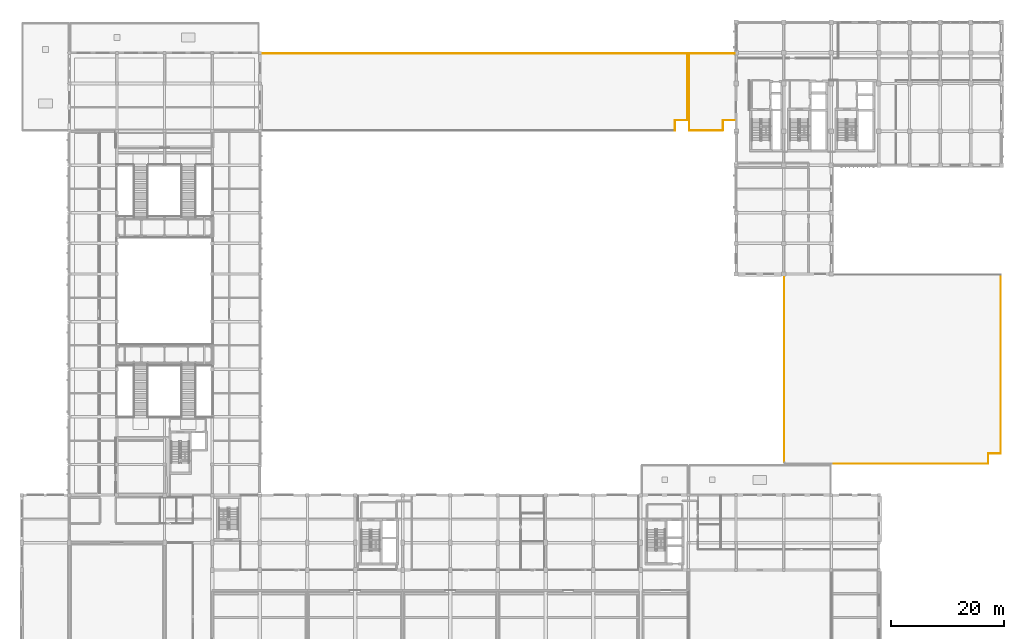
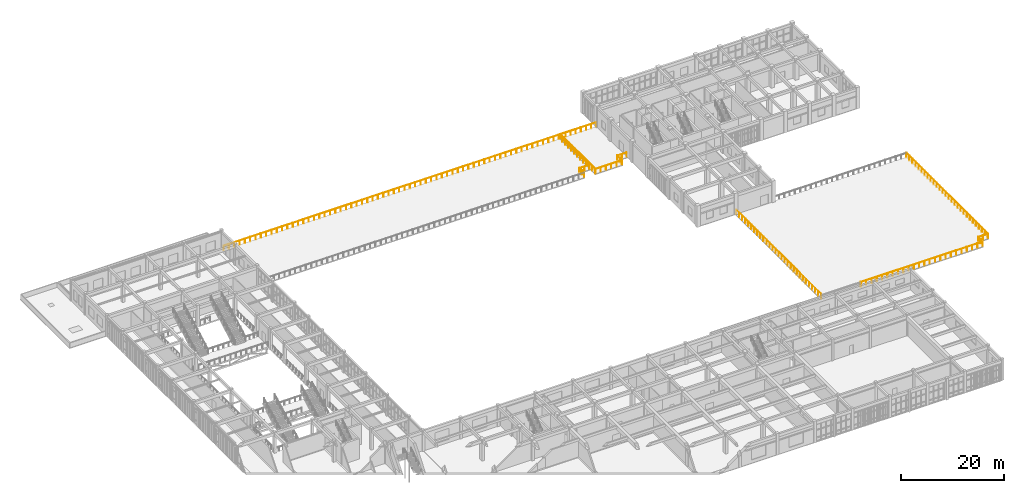
# One storey, part 91 of 93: 14 railings.
"""IFC4 building model written with IfcOpenShell, lengths in metres."""

from ifc_helpers import new_model, si_unit, direction, frame, origin, origin_2d, place, context, subcontext, project, spatial, circle, extrude, material, type_object, element, save


model = new_model("IFC4")

# Units and contexts
model_context = context("Model", 3, precision=1e-05, world=origin(), true_north=direction((0.0, 1.0)))
body_context = subcontext(model_context, "Body", "Model", "MODEL_VIEW")
ifc_project = project(units=[si_unit("LENGTHUNIT", "METRE"), si_unit("AREAUNIT", "SQUARE_METRE"), si_unit("VOLUMEUNIT", "CUBIC_METRE"), si_unit("PLANEANGLEUNIT", "RADIAN"), si_unit("MASSUNIT", "GRAM", prefix="KILO")], contexts=[model_context])

# Site, building, storey
site_placement = place(None, origin())
site = spatial("IfcSite", under=ifc_project, at=site_placement, CompositionType="ELEMENT")
building_placement = place(site_placement, origin())
building = spatial("IfcBuilding", under=site, at=building_placement, Name="Krzemoval Escarpment Law Courts", CompositionType="ELEMENT")
storey_placement = place(building_placement, frame((0.0, 0.0, 10.199951171875)))
storey = spatial("IfcBuildingStorey", under=building, at=storey_placement, Name="L02", CompositionType="ELEMENT", Elevation=10.199951171875)

# Railings
ifc_material = material(Name="Stainless Steel Grade 316L and Laminated Safety Glass Guard", Category="steel")
railing_type = type_object("IfcRailingType", Name="RL-BAL-1100", PredefinedType="BALUSTRADE", material=ifc_material)
railing_1_placement = place(storey_placement, frame((134.52001953125, 41.25, 0.0)))
element("IfcRailing", 1, at=railing_1_placement, inside=storey, type_object=railing_type, Name="Terrace Guardrail BG-L02-001", PredefinedType="BALUSTRADE", context=body_context, shape_type="SweptSolid", body=[
    extrude(circle(Radius=0.02392578125, at=origin_2d()), frame((0.0, 0.0, 1.076171875), z_axis=(0.0, 1.0, 0.0), x_axis=(-1.0, 0.0, 0.0)), (0.0, 0.0, 1.0), 32.929931640625),
    extrude(circle(Radius=0.02099609375, at=origin_2d()), origin(), (0.0, 0.0, 1.0), 1.052001953125),
    extrude(circle(Radius=0.02099609375, at=origin_2d()), frame((0.0, 1.176025390625, 0.0)), (0.0, 0.0, 1.0), 1.052001953125),
    extrude(circle(Radius=0.02099609375, at=origin_2d()), frame((0.0, 2.35205078125, 0.0)), (0.0, 0.0, 1.0), 1.052001953125),
    extrude(circle(Radius=0.02099609375, at=origin_2d()), frame((0.0, 3.5283203125, 0.0)), (0.0, 0.0, 1.0), 1.052001953125),
    extrude(circle(Radius=0.02099609375, at=origin_2d()), frame((0.0, 4.704345703125, 0.0)), (0.0, 0.0, 1.0), 1.052001953125),
    extrude(circle(Radius=0.02099609375, at=origin_2d()), frame((0.0, 5.88037109375, 0.0)), (0.0, 0.0, 1.0), 1.052001953125),
    extrude(circle(Radius=0.02099609375, at=origin_2d()), frame((0.0, 7.056396484375, 0.0)), (0.0, 0.0, 1.0), 1.052001953125),
    extrude(circle(Radius=0.02099609375, at=origin_2d()), frame((0.0, 8.232421875, 0.0)), (0.0, 0.0, 1.0), 1.052001953125),
    extrude(circle(Radius=0.02099609375, at=origin_2d()), frame((0.0, 9.408447265625, 0.0)), (0.0, 0.0, 1.0), 1.052001953125),
    extrude(circle(Radius=0.02099609375, at=origin_2d()), frame((0.0, 10.584716796875, 0.0)), (0.0, 0.0, 1.0), 1.052001953125),
    extrude(circle(Radius=0.02099609375, at=origin_2d()), frame((0.0, 11.7607421875, 0.0)), (0.0, 0.0, 1.0), 1.052001953125),
    extrude(circle(Radius=0.02099609375, at=origin_2d()), frame((0.0, 12.936767578125, 0.0)), (0.0, 0.0, 1.0), 1.052001953125),
    extrude(circle(Radius=0.02099609375, at=origin_2d()), frame((0.0, 14.11279296875, 0.0)), (0.0, 0.0, 1.0), 1.052001953125),
    extrude(circle(Radius=0.02099609375, at=origin_2d()), frame((0.0, 15.288818359375, 0.0)), (0.0, 0.0, 1.0), 1.052001953125),
    extrude(circle(Radius=0.02099609375, at=origin_2d()), frame((0.0, 16.46484375, 0.0)), (0.0, 0.0, 1.0), 1.052001953125),
    extrude(circle(Radius=0.02099609375, at=origin_2d()), frame((0.0, 17.64111328125, 0.0)), (0.0, 0.0, 1.0), 1.052001953125),
    extrude(circle(Radius=0.02099609375, at=origin_2d()), frame((0.0, 18.817138671875, 0.0)), (0.0, 0.0, 1.0), 1.052001953125),
    extrude(circle(Radius=0.02099609375, at=origin_2d()), frame((0.0, 19.9931640625, 0.0)), (0.0, 0.0, 1.0), 1.052001953125),
    extrude(circle(Radius=0.02099609375, at=origin_2d()), frame((0.0, 21.169189453125, 0.0)), (0.0, 0.0, 1.0), 1.052001953125),
    extrude(circle(Radius=0.02099609375, at=origin_2d()), frame((0.0, 22.34521484375, 0.0)), (0.0, 0.0, 1.0), 1.052001953125),
    extrude(circle(Radius=0.02099609375, at=origin_2d()), frame((0.0, 23.521484375, 0.0)), (0.0, 0.0, 1.0), 1.052001953125),
    extrude(circle(Radius=0.02099609375, at=origin_2d()), frame((0.0, 24.697509765625, 0.0)), (0.0, 0.0, 1.0), 1.052001953125),
    extrude(circle(Radius=0.02099609375, at=origin_2d()), frame((0.0, 25.87353515625, 0.0)), (0.0, 0.0, 1.0), 1.052001953125),
    extrude(circle(Radius=0.02099609375, at=origin_2d()), frame((0.0, 27.049560546875, 0.0)), (0.0, 0.0, 1.0), 1.052001953125),
    extrude(circle(Radius=0.02099609375, at=origin_2d()), frame((0.0, 28.2255859375, 0.0)), (0.0, 0.0, 1.0), 1.052001953125),
    extrude(circle(Radius=0.02099609375, at=origin_2d()), frame((0.0, 29.401611328125, 0.0)), (0.0, 0.0, 1.0), 1.052001953125),
    extrude(circle(Radius=0.02099609375, at=origin_2d()), frame((0.0, 30.577880859375, 0.0)), (0.0, 0.0, 1.0), 1.052001953125),
    extrude(circle(Radius=0.02099609375, at=origin_2d()), frame((0.0, 31.75390625, 0.0)), (0.0, 0.0, 1.0), 1.052001953125),
    extrude(circle(Radius=0.02099609375, at=origin_2d()), frame((0.0, 32.929931640625, 0.0)), (0.0, 0.0, 1.0), 1.052001953125),
])
railing_2_placement = place(storey_placement, frame((172.679931640625, 74.280029296875, 0.0)))
element("IfcRailing", 2, at=railing_2_placement, inside=storey, type_object=railing_type, Name="Terrace Guardrail BG-L02-003", PredefinedType="BALUSTRADE", context=body_context, shape_type="SweptSolid", body=[
    extrude(circle(Radius=0.02392578125, at=origin_2d()), frame((0.0, 0.0, 1.076171875), z_axis=(0.0, -1.0, 0.0), x_axis=(1.0, 0.0, 0.0)), (0.0, 0.0, 1.0), 31.56005859375),
    extrude(circle(Radius=0.02099609375, at=origin_2d()), origin(), (0.0, 0.0, 1.0), 1.052001953125),
    extrude(circle(Radius=0.02099609375, at=origin_2d()), frame((0.0, -1.1689453125, 0.0)), (0.0, 0.0, 1.0), 1.052001953125),
    extrude(circle(Radius=0.02099609375, at=origin_2d()), frame((0.0, -2.337890625, 0.0)), (0.0, 0.0, 1.0), 1.052001953125),
    extrude(circle(Radius=0.02099609375, at=origin_2d()), frame((0.0, -3.506591796875, 0.0)), (0.0, 0.0, 1.0), 1.052001953125),
    extrude(circle(Radius=0.02099609375, at=origin_2d()), frame((0.0, -4.675537109375, 0.0)), (0.0, 0.0, 1.0), 1.052001953125),
    extrude(circle(Radius=0.02099609375, at=origin_2d()), frame((0.0, -5.844482421875, 0.0)), (0.0, 0.0, 1.0), 1.052001953125),
    extrude(circle(Radius=0.02099609375, at=origin_2d()), frame((0.0, -7.013427734375, 0.0)), (0.0, 0.0, 1.0), 1.052001953125),
    extrude(circle(Radius=0.02099609375, at=origin_2d()), frame((0.0, -8.18212890625, 0.0)), (0.0, 0.0, 1.0), 1.052001953125),
    extrude(circle(Radius=0.02099609375, at=origin_2d()), frame((0.0, -9.35107421875, 0.0)), (0.0, 0.0, 1.0), 1.052001953125),
    extrude(circle(Radius=0.02099609375, at=origin_2d()), frame((0.0, -10.52001953125, 0.0)), (0.0, 0.0, 1.0), 1.052001953125),
    extrude(circle(Radius=0.02099609375, at=origin_2d()), frame((0.0, -11.68896484375, 0.0)), (0.0, 0.0, 1.0), 1.052001953125),
    extrude(circle(Radius=0.02099609375, at=origin_2d()), frame((0.0, -12.85791015625, 0.0)), (0.0, 0.0, 1.0), 1.052001953125),
    extrude(circle(Radius=0.02099609375, at=origin_2d()), frame((0.0, -14.026611328125, 0.0)), (0.0, 0.0, 1.0), 1.052001953125),
    extrude(circle(Radius=0.02099609375, at=origin_2d()), frame((0.0, -15.195556640625, 0.0)), (0.0, 0.0, 1.0), 1.052001953125),
    extrude(circle(Radius=0.02099609375, at=origin_2d()), frame((0.0, -16.364501953125, 0.0)), (0.0, 0.0, 1.0), 1.052001953125),
    extrude(circle(Radius=0.02099609375, at=origin_2d()), frame((0.0, -17.533447265625, 0.0)), (0.0, 0.0, 1.0), 1.052001953125),
    extrude(circle(Radius=0.02099609375, at=origin_2d()), frame((0.0, -18.7021484375, 0.0)), (0.0, 0.0, 1.0), 1.052001953125),
    extrude(circle(Radius=0.02099609375, at=origin_2d()), frame((0.0, -19.87109375, 0.0)), (0.0, 0.0, 1.0), 1.052001953125),
    extrude(circle(Radius=0.02099609375, at=origin_2d()), frame((0.0, -21.0400390625, 0.0)), (0.0, 0.0, 1.0), 1.052001953125),
    extrude(circle(Radius=0.02099609375, at=origin_2d()), frame((0.0, -22.208984375, 0.0)), (0.0, 0.0, 1.0), 1.052001953125),
    extrude(circle(Radius=0.02099609375, at=origin_2d()), frame((0.0, -23.3779296875, 0.0)), (0.0, 0.0, 1.0), 1.052001953125),
    extrude(circle(Radius=0.02099609375, at=origin_2d()), frame((0.0, -24.546630859375, 0.0)), (0.0, 0.0, 1.0), 1.052001953125),
    extrude(circle(Radius=0.02099609375, at=origin_2d()), frame((0.0, -25.715576171875, 0.0)), (0.0, 0.0, 1.0), 1.052001953125),
    extrude(circle(Radius=0.02099609375, at=origin_2d()), frame((0.0, -26.884521484375, 0.0)), (0.0, 0.0, 1.0), 1.052001953125),
    extrude(circle(Radius=0.02099609375, at=origin_2d()), frame((0.0, -28.053466796875, 0.0)), (0.0, 0.0, 1.0), 1.052001953125),
    extrude(circle(Radius=0.02099609375, at=origin_2d()), frame((0.0, -29.22216796875, 0.0)), (0.0, 0.0, 1.0), 1.052001953125),
    extrude(circle(Radius=0.02099609375, at=origin_2d()), frame((0.0, -30.39111328125, 0.0)), (0.0, 0.0, 1.0), 1.052001953125),
    extrude(circle(Radius=0.02099609375, at=origin_2d()), frame((0.0, -31.56005859375, 0.0)), (0.0, 0.0, 1.0), 1.052001953125),
])
railing_3_placement = place(storey_placement, frame((172.679931640625, 42.719970703125, 0.0)))
element("IfcRailing", 3, at=railing_3_placement, inside=storey, type_object=railing_type, Name="Terrace Guardrail BG-L02-004", PredefinedType="BALUSTRADE", context=body_context, shape_type="SweptSolid", body=[
    extrude(circle(Radius=0.02392578125, at=origin_2d()), frame((0.0, 0.0, 1.076171875), z_axis=(-1.0, 0.0, 0.0), x_axis=(0.0, -1.0, 0.0)), (0.0, 0.0, 1.0), 2.199951171875),
    extrude(circle(Radius=0.02099609375, at=origin_2d()), origin(), (0.0, 0.0, 1.0), 1.052001953125),
    extrude(circle(Radius=0.02099609375, at=origin_2d()), frame((-1.10009765625, 0.0, 0.0)), (0.0, 0.0, 1.0), 1.052001953125),
    extrude(circle(Radius=0.02099609375, at=origin_2d()), frame((-2.199951171875, 0.0, 0.0)), (0.0, 0.0, 1.0), 1.052001953125),
])
railing_4_placement = place(storey_placement, frame((170.47998046875, 42.719970703125, 0.0)))
element("IfcRailing", 4, at=railing_4_placement, inside=storey, type_object=railing_type, Name="Terrace Guardrail BG-L02-005", PredefinedType="BALUSTRADE", context=body_context, shape_type="SweptSolid", body=[
    extrude(circle(Radius=0.02392578125, at=origin_2d()), frame((0.0, 0.0, 1.076171875), z_axis=(0.0, -1.0, 0.0), x_axis=(1.0, 0.0, 0.0)), (0.0, 0.0, 1.0), 1.800048828125),
    extrude(circle(Radius=0.02099609375, at=origin_2d()), origin(), (0.0, 0.0, 1.0), 1.052001953125),
    extrude(circle(Radius=0.02099609375, at=origin_2d()), frame((0.0, -0.89990234375, 0.0)), (0.0, 0.0, 1.0), 1.052001953125),
    extrude(circle(Radius=0.02099609375, at=origin_2d()), frame((0.0, -1.800048828125, 0.0)), (0.0, 0.0, 1.0), 1.052001953125),
])
railing_5_placement = place(storey_placement, frame((170.47998046875, 40.919921875, 0.0)))
element("IfcRailing", 5, at=railing_5_placement, inside=storey, type_object=railing_type, Name="Terrace Guardrail BG-L02-006", PredefinedType="BALUSTRADE", context=body_context, shape_type="SweptSolid", body=[
    extrude(circle(Radius=0.02392578125, at=origin_2d()), frame((0.0, 0.0, 1.076171875), z_axis=(-1.0, 0.0, 0.0), x_axis=(0.0, -1.0, 0.0)), (0.0, 0.0, 1.0), 27.2470703125),
    extrude(circle(Radius=0.02099609375, at=origin_2d()), origin(), (0.0, 0.0, 1.0), 1.052001953125),
    extrude(circle(Radius=0.02099609375, at=origin_2d()), frame((-1.1845703125, 0.0, 0.0)), (0.0, 0.0, 1.0), 1.052001953125),
    extrude(circle(Radius=0.02099609375, at=origin_2d()), frame((-2.369384765625, 0.0, 0.0)), (0.0, 0.0, 1.0), 1.052001953125),
    extrude(circle(Radius=0.02099609375, at=origin_2d()), frame((-3.553955078125, 0.0, 0.0)), (0.0, 0.0, 1.0), 1.052001953125),
    extrude(circle(Radius=0.02099609375, at=origin_2d()), frame((-4.738525390625, 0.0, 0.0)), (0.0, 0.0, 1.0), 1.052001953125),
    extrude(circle(Radius=0.02099609375, at=origin_2d()), frame((-5.92333984375, 0.0, 0.0)), (0.0, 0.0, 1.0), 1.052001953125),
    extrude(circle(Radius=0.02099609375, at=origin_2d()), frame((-7.10791015625, 0.0, 0.0)), (0.0, 0.0, 1.0), 1.052001953125),
    extrude(circle(Radius=0.02099609375, at=origin_2d()), frame((-8.29248046875, 0.0, 0.0)), (0.0, 0.0, 1.0), 1.052001953125),
    extrude(circle(Radius=0.02099609375, at=origin_2d()), frame((-9.477294921875, 0.0, 0.0)), (0.0, 0.0, 1.0), 1.052001953125),
    extrude(circle(Radius=0.02099609375, at=origin_2d()), frame((-10.661865234375, 0.0, 0.0)), (0.0, 0.0, 1.0), 1.052001953125),
    extrude(circle(Radius=0.02099609375, at=origin_2d()), frame((-11.846435546875, 0.0, 0.0)), (0.0, 0.0, 1.0), 1.052001953125),
    extrude(circle(Radius=0.02099609375, at=origin_2d()), frame((-13.03125, 0.0, 0.0)), (0.0, 0.0, 1.0), 1.052001953125),
    extrude(circle(Radius=0.02099609375, at=origin_2d()), frame((-14.2158203125, 0.0, 0.0)), (0.0, 0.0, 1.0), 1.052001953125),
    extrude(circle(Radius=0.02099609375, at=origin_2d()), frame((-15.400634765625, 0.0, 0.0)), (0.0, 0.0, 1.0), 1.052001953125),
    extrude(circle(Radius=0.02099609375, at=origin_2d()), frame((-16.585205078125, 0.0, 0.0)), (0.0, 0.0, 1.0), 1.052001953125),
    extrude(circle(Radius=0.02099609375, at=origin_2d()), frame((-17.769775390625, 0.0, 0.0)), (0.0, 0.0, 1.0), 1.052001953125),
    extrude(circle(Radius=0.02099609375, at=origin_2d()), frame((-18.95458984375, 0.0, 0.0)), (0.0, 0.0, 1.0), 1.052001953125),
    extrude(circle(Radius=0.02099609375, at=origin_2d()), frame((-20.13916015625, 0.0, 0.0)), (0.0, 0.0, 1.0), 1.052001953125),
    extrude(circle(Radius=0.02099609375, at=origin_2d()), frame((-21.32373046875, 0.0, 0.0)), (0.0, 0.0, 1.0), 1.052001953125),
    extrude(circle(Radius=0.02099609375, at=origin_2d()), frame((-22.508544921875, 0.0, 0.0)), (0.0, 0.0, 1.0), 1.052001953125),
    extrude(circle(Radius=0.02099609375, at=origin_2d()), frame((-23.693115234375, 0.0, 0.0)), (0.0, 0.0, 1.0), 1.052001953125),
    extrude(circle(Radius=0.02099609375, at=origin_2d()), frame((-24.877685546875, 0.0, 0.0)), (0.0, 0.0, 1.0), 1.052001953125),
    extrude(circle(Radius=0.02099609375, at=origin_2d()), frame((-26.0625, 0.0, 0.0)), (0.0, 0.0, 1.0), 1.052001953125),
    extrude(circle(Radius=0.02099609375, at=origin_2d()), frame((-27.2470703125, 0.0, 0.0)), (0.0, 0.0, 1.0), 1.052001953125),
])
railing_6_placement = place(storey_placement, frame((42.39306640625, 113.280029296875, 0.0)))
element("IfcRailing", 6, at=railing_6_placement, inside=storey, type_object=railing_type, Name="Terrace Guardrail BG-L02-007", PredefinedType="BALUSTRADE", context=body_context, shape_type="SweptSolid", body=[
    extrude(circle(Radius=0.02392578125, at=origin_2d()), frame((0.0, 0.0, 1.076171875), z_axis=(1.0, 0.0, 0.0), x_axis=(0.0, 1.0, 0.0)), (0.0, 0.0, 1.0), 75.046875),
    extrude(circle(Radius=0.02099609375, at=origin_2d()), origin(), (0.0, 0.0, 1.0), 1.052001953125),
    extrude(circle(Radius=0.02099609375, at=origin_2d()), frame((1.191162109375, 0.0, 0.0)), (0.0, 0.0, 1.0), 1.052001953125),
    extrude(circle(Radius=0.02099609375, at=origin_2d()), frame((2.38232421875, 0.0, 0.0)), (0.0, 0.0, 1.0), 1.052001953125),
    extrude(circle(Radius=0.02099609375, at=origin_2d()), frame((3.57373046875, 0.0, 0.0)), (0.0, 0.0, 1.0), 1.052001953125),
    extrude(circle(Radius=0.02099609375, at=origin_2d()), frame((4.764892578125, 0.0, 0.0)), (0.0, 0.0, 1.0), 1.052001953125),
    extrude(circle(Radius=0.02099609375, at=origin_2d()), frame((5.9560546875, 0.0, 0.0)), (0.0, 0.0, 1.0), 1.052001953125),
    extrude(circle(Radius=0.02099609375, at=origin_2d()), frame((7.147216796875, 0.0, 0.0)), (0.0, 0.0, 1.0), 1.052001953125),
    extrude(circle(Radius=0.02099609375, at=origin_2d()), frame((8.338623046875, 0.0, 0.0)), (0.0, 0.0, 1.0), 1.052001953125),
    extrude(circle(Radius=0.02099609375, at=origin_2d()), frame((9.52978515625, 0.0, 0.0)), (0.0, 0.0, 1.0), 1.052001953125),
    extrude(circle(Radius=0.02099609375, at=origin_2d()), frame((10.720947265625, 0.0, 0.0)), (0.0, 0.0, 1.0), 1.052001953125),
    extrude(circle(Radius=0.02099609375, at=origin_2d()), frame((11.912109375, 0.0, 0.0)), (0.0, 0.0, 1.0), 1.052001953125),
    extrude(circle(Radius=0.02099609375, at=origin_2d()), frame((13.103515625, 0.0, 0.0)), (0.0, 0.0, 1.0), 1.052001953125),
    extrude(circle(Radius=0.02099609375, at=origin_2d()), frame((14.294677734375, 0.0, 0.0)), (0.0, 0.0, 1.0), 1.052001953125),
    extrude(circle(Radius=0.02099609375, at=origin_2d()), frame((15.48583984375, 0.0, 0.0)), (0.0, 0.0, 1.0), 1.052001953125),
    extrude(circle(Radius=0.02099609375, at=origin_2d()), frame((16.677001953125, 0.0, 0.0)), (0.0, 0.0, 1.0), 1.052001953125),
    extrude(circle(Radius=0.02099609375, at=origin_2d()), frame((17.868408203125, 0.0, 0.0)), (0.0, 0.0, 1.0), 1.052001953125),
    extrude(circle(Radius=0.02099609375, at=origin_2d()), frame((19.0595703125, 0.0, 0.0)), (0.0, 0.0, 1.0), 1.052001953125),
    extrude(circle(Radius=0.02099609375, at=origin_2d()), frame((20.250732421875, 0.0, 0.0)), (0.0, 0.0, 1.0), 1.052001953125),
    extrude(circle(Radius=0.02099609375, at=origin_2d()), frame((21.44189453125, 0.0, 0.0)), (0.0, 0.0, 1.0), 1.052001953125),
    extrude(circle(Radius=0.02099609375, at=origin_2d()), frame((22.63330078125, 0.0, 0.0)), (0.0, 0.0, 1.0), 1.052001953125),
    extrude(circle(Radius=0.02099609375, at=origin_2d()), frame((23.824462890625, 0.0, 0.0)), (0.0, 0.0, 1.0), 1.052001953125),
    extrude(circle(Radius=0.02099609375, at=origin_2d()), frame((25.015625, 0.0, 0.0)), (0.0, 0.0, 1.0), 1.052001953125),
    extrude(circle(Radius=0.02099609375, at=origin_2d()), frame((26.206787109375, 0.0, 0.0)), (0.0, 0.0, 1.0), 1.052001953125),
    extrude(circle(Radius=0.02099609375, at=origin_2d()), frame((27.39794921875, 0.0, 0.0)), (0.0, 0.0, 1.0), 1.052001953125),
    extrude(circle(Radius=0.02099609375, at=origin_2d()), frame((28.58935546875, 0.0, 0.0)), (0.0, 0.0, 1.0), 1.052001953125),
    extrude(circle(Radius=0.02099609375, at=origin_2d()), frame((29.780517578125, 0.0, 0.0)), (0.0, 0.0, 1.0), 1.052001953125),
    extrude(circle(Radius=0.02099609375, at=origin_2d()), frame((30.9716796875, 0.0, 0.0)), (0.0, 0.0, 1.0), 1.052001953125),
    extrude(circle(Radius=0.02099609375, at=origin_2d()), frame((32.162841796875, 0.0, 0.0)), (0.0, 0.0, 1.0), 1.052001953125),
    extrude(circle(Radius=0.02099609375, at=origin_2d()), frame((33.354248046875, 0.0, 0.0)), (0.0, 0.0, 1.0), 1.052001953125),
    extrude(circle(Radius=0.02099609375, at=origin_2d()), frame((34.54541015625, 0.0, 0.0)), (0.0, 0.0, 1.0), 1.052001953125),
    extrude(circle(Radius=0.02099609375, at=origin_2d()), frame((35.736572265625, 0.0, 0.0)), (0.0, 0.0, 1.0), 1.052001953125),
    extrude(circle(Radius=0.02099609375, at=origin_2d()), frame((36.927734375, 0.0, 0.0)), (0.0, 0.0, 1.0), 1.052001953125),
    extrude(circle(Radius=0.02099609375, at=origin_2d()), frame((38.119140625, 0.0, 0.0)), (0.0, 0.0, 1.0), 1.052001953125),
    extrude(circle(Radius=0.02099609375, at=origin_2d()), frame((39.310302734375, 0.0, 0.0)), (0.0, 0.0, 1.0), 1.052001953125),
    extrude(circle(Radius=0.02099609375, at=origin_2d()), frame((40.50146484375, 0.0, 0.0)), (0.0, 0.0, 1.0), 1.052001953125),
    extrude(circle(Radius=0.02099609375, at=origin_2d()), frame((41.692626953125, 0.0, 0.0)), (0.0, 0.0, 1.0), 1.052001953125),
    extrude(circle(Radius=0.02099609375, at=origin_2d()), frame((42.884033203125, 0.0, 0.0)), (0.0, 0.0, 1.0), 1.052001953125),
    extrude(circle(Radius=0.02099609375, at=origin_2d()), frame((44.0751953125, 0.0, 0.0)), (0.0, 0.0, 1.0), 1.052001953125),
    extrude(circle(Radius=0.02099609375, at=origin_2d()), frame((45.266357421875, 0.0, 0.0)), (0.0, 0.0, 1.0), 1.052001953125),
    extrude(circle(Radius=0.02099609375, at=origin_2d()), frame((46.45751953125, 0.0, 0.0)), (0.0, 0.0, 1.0), 1.052001953125),
    extrude(circle(Radius=0.02099609375, at=origin_2d()), frame((47.64892578125, 0.0, 0.0)), (0.0, 0.0, 1.0), 1.052001953125),
    extrude(circle(Radius=0.02099609375, at=origin_2d()), frame((48.840087890625, 0.0, 0.0)), (0.0, 0.0, 1.0), 1.052001953125),
    extrude(circle(Radius=0.02099609375, at=origin_2d()), frame((50.03125, 0.0, 0.0)), (0.0, 0.0, 1.0), 1.052001953125),
    extrude(circle(Radius=0.02099609375, at=origin_2d()), frame((51.222412109375, 0.0, 0.0)), (0.0, 0.0, 1.0), 1.052001953125),
    extrude(circle(Radius=0.02099609375, at=origin_2d()), frame((52.41357421875, 0.0, 0.0)), (0.0, 0.0, 1.0), 1.052001953125),
    extrude(circle(Radius=0.02099609375, at=origin_2d()), frame((53.60498046875, 0.0, 0.0)), (0.0, 0.0, 1.0), 1.052001953125),
    extrude(circle(Radius=0.02099609375, at=origin_2d()), frame((54.796142578125, 0.0, 0.0)), (0.0, 0.0, 1.0), 1.052001953125),
    extrude(circle(Radius=0.02099609375, at=origin_2d()), frame((55.9873046875, 0.0, 0.0)), (0.0, 0.0, 1.0), 1.052001953125),
    extrude(circle(Radius=0.02099609375, at=origin_2d()), frame((57.178466796875, 0.0, 0.0)), (0.0, 0.0, 1.0), 1.052001953125),
    extrude(circle(Radius=0.02099609375, at=origin_2d()), frame((58.369873046875, 0.0, 0.0)), (0.0, 0.0, 1.0), 1.052001953125),
    extrude(circle(Radius=0.02099609375, at=origin_2d()), frame((59.56103515625, 0.0, 0.0)), (0.0, 0.0, 1.0), 1.052001953125),
    extrude(circle(Radius=0.02099609375, at=origin_2d()), frame((60.752197265625, 0.0, 0.0)), (0.0, 0.0, 1.0), 1.052001953125),
    extrude(circle(Radius=0.02099609375, at=origin_2d()), frame((61.943359375, 0.0, 0.0)), (0.0, 0.0, 1.0), 1.052001953125),
    extrude(circle(Radius=0.02099609375, at=origin_2d()), frame((63.134765625, 0.0, 0.0)), (0.0, 0.0, 1.0), 1.052001953125),
    extrude(circle(Radius=0.02099609375, at=origin_2d()), frame((64.325927734375, 0.0, 0.0)), (0.0, 0.0, 1.0), 1.052001953125),
    extrude(circle(Radius=0.02099609375, at=origin_2d()), frame((65.51708984375, 0.0, 0.0)), (0.0, 0.0, 1.0), 1.052001953125),
    extrude(circle(Radius=0.02099609375, at=origin_2d()), frame((66.708251953125, 0.0, 0.0)), (0.0, 0.0, 1.0), 1.052001953125),
    extrude(circle(Radius=0.02099609375, at=origin_2d()), frame((67.899658203125, 0.0, 0.0)), (0.0, 0.0, 1.0), 1.052001953125),
    extrude(circle(Radius=0.02099609375, at=origin_2d()), frame((69.0908203125, 0.0, 0.0)), (0.0, 0.0, 1.0), 1.052001953125),
    extrude(circle(Radius=0.02099609375, at=origin_2d()), frame((70.281982421875, 0.0, 0.0)), (0.0, 0.0, 1.0), 1.052001953125),
    extrude(circle(Radius=0.02099609375, at=origin_2d()), frame((71.47314453125, 0.0, 0.0)), (0.0, 0.0, 1.0), 1.052001953125),
    extrude(circle(Radius=0.02099609375, at=origin_2d()), frame((72.66455078125, 0.0, 0.0)), (0.0, 0.0, 1.0), 1.052001953125),
    extrude(circle(Radius=0.02099609375, at=origin_2d()), frame((73.855712890625, 0.0, 0.0)), (0.0, 0.0, 1.0), 1.052001953125),
    extrude(circle(Radius=0.02099609375, at=origin_2d()), frame((75.046875, 0.0, 0.0)), (0.0, 0.0, 1.0), 1.052001953125),
])
railing_7_placement = place(storey_placement, frame((117.43994140625, 113.280029296875, 0.0)))
element("IfcRailing", 7, at=railing_7_placement, inside=storey, type_object=railing_type, Name="Terrace Guardrail BG-L02-008", PredefinedType="BALUSTRADE", context=body_context, shape_type="SweptSolid", body=[
    extrude(circle(Radius=0.02392578125, at=origin_2d()), frame((0.0, 0.0, 1.076171875), z_axis=(0.0, -1.0, 0.0), x_axis=(1.0, 0.0, 0.0)), (0.0, 0.0, 1.0), 11.760009765625),
    extrude(circle(Radius=0.02099609375, at=origin_2d()), origin(), (0.0, 0.0, 1.0), 1.052001953125),
    extrude(circle(Radius=0.02099609375, at=origin_2d()), frame((0.0, -1.176025390625, 0.0)), (0.0, 0.0, 1.0), 1.052001953125),
    extrude(circle(Radius=0.02099609375, at=origin_2d()), frame((0.0, -2.35205078125, 0.0)), (0.0, 0.0, 1.0), 1.052001953125),
    extrude(circle(Radius=0.02099609375, at=origin_2d()), frame((0.0, -3.528076171875, 0.0)), (0.0, 0.0, 1.0), 1.052001953125),
    extrude(circle(Radius=0.02099609375, at=origin_2d()), frame((0.0, -4.7041015625, 0.0)), (0.0, 0.0, 1.0), 1.052001953125),
    extrude(circle(Radius=0.02099609375, at=origin_2d()), frame((0.0, -5.8798828125, 0.0)), (0.0, 0.0, 1.0), 1.052001953125),
    extrude(circle(Radius=0.02099609375, at=origin_2d()), frame((0.0, -7.055908203125, 0.0)), (0.0, 0.0, 1.0), 1.052001953125),
    extrude(circle(Radius=0.02099609375, at=origin_2d()), frame((0.0, -8.23193359375, 0.0)), (0.0, 0.0, 1.0), 1.052001953125),
    extrude(circle(Radius=0.02099609375, at=origin_2d()), frame((0.0, -9.407958984375, 0.0)), (0.0, 0.0, 1.0), 1.052001953125),
    extrude(circle(Radius=0.02099609375, at=origin_2d()), frame((0.0, -10.583984375, 0.0)), (0.0, 0.0, 1.0), 1.052001953125),
    extrude(circle(Radius=0.02099609375, at=origin_2d()), frame((0.0, -11.760009765625, 0.0)), (0.0, 0.0, 1.0), 1.052001953125),
])
railing_8_placement = place(storey_placement, frame((117.43994140625, 101.52001953125, 0.0)))
element("IfcRailing", 8, at=railing_8_placement, inside=storey, type_object=railing_type, Name="Terrace Guardrail BG-L02-009", PredefinedType="BALUSTRADE", context=body_context, shape_type="SweptSolid", body=[
    extrude(circle(Radius=0.02392578125, at=origin_2d()), frame((0.0, 0.0, 1.076171875), z_axis=(-1.0, 0.0, 0.0), x_axis=(0.0, -1.0, 0.0)), (0.0, 0.0, 1.0), 2.199951171875),
    extrude(circle(Radius=0.02099609375, at=origin_2d()), origin(), (0.0, 0.0, 1.0), 1.052001953125),
    extrude(circle(Radius=0.02099609375, at=origin_2d()), frame((-1.10009765625, 0.0, 0.0)), (0.0, 0.0, 1.0), 1.052001953125),
    extrude(circle(Radius=0.02099609375, at=origin_2d()), frame((-2.199951171875, 0.0, 0.0)), (0.0, 0.0, 1.0), 1.052001953125),
])
railing_9_placement = place(storey_placement, frame((115.239990234375, 101.52001953125, 0.0)))
element("IfcRailing", 9, at=railing_9_placement, inside=storey, type_object=railing_type, Name="Terrace Guardrail BG-L02-010", PredefinedType="BALUSTRADE", context=body_context, shape_type="SweptSolid", body=[
    extrude(circle(Radius=0.02392578125, at=origin_2d()), frame((0.0, 0.0, 1.076171875), z_axis=(0.0, -1.0, 0.0), x_axis=(1.0, 0.0, 0.0)), (0.0, 0.0, 1.0), 1.800048828125),
    extrude(circle(Radius=0.02099609375, at=origin_2d()), origin(), (0.0, 0.0, 1.0), 1.052001953125),
    extrude(circle(Radius=0.02099609375, at=origin_2d()), frame((0.0, -0.89990234375, 0.0)), (0.0, 0.0, 1.0), 1.052001953125),
    extrude(circle(Radius=0.02099609375, at=origin_2d()), frame((0.0, -1.800048828125, 0.0)), (0.0, 0.0, 1.0), 1.052001953125),
])
railing_10_placement = place(storey_placement, frame((117.760009765625, 99.719970703125, 0.0)))
element("IfcRailing", 10, at=railing_10_placement, inside=storey, type_object=railing_type, Name="Terrace Guardrail BG-L02-012", PredefinedType="BALUSTRADE", context=body_context, shape_type="SweptSolid", body=[
    extrude(circle(Radius=0.02392578125, at=origin_2d()), frame((0.0, 0.0, 1.076171875), z_axis=(0.0, 1.0, 0.0), x_axis=(-1.0, 0.0, 0.0)), (0.0, 0.0, 1.0), 13.56005859375),
    extrude(circle(Radius=0.02099609375, at=origin_2d()), origin(), (0.0, 0.0, 1.0), 1.052001953125),
    extrude(circle(Radius=0.02099609375, at=origin_2d()), frame((0.0, 1.1298828125, 0.0)), (0.0, 0.0, 1.0), 1.052001953125),
    extrude(circle(Radius=0.02099609375, at=origin_2d()), frame((0.0, 2.260009765625, 0.0)), (0.0, 0.0, 1.0), 1.052001953125),
    extrude(circle(Radius=0.02099609375, at=origin_2d()), frame((0.0, 3.39013671875, 0.0)), (0.0, 0.0, 1.0), 1.052001953125),
    extrude(circle(Radius=0.02099609375, at=origin_2d()), frame((0.0, 4.52001953125, 0.0)), (0.0, 0.0, 1.0), 1.052001953125),
    extrude(circle(Radius=0.02099609375, at=origin_2d()), frame((0.0, 5.64990234375, 0.0)), (0.0, 0.0, 1.0), 1.052001953125),
    extrude(circle(Radius=0.02099609375, at=origin_2d()), frame((0.0, 6.780029296875, 0.0)), (0.0, 0.0, 1.0), 1.052001953125),
    extrude(circle(Radius=0.02099609375, at=origin_2d()), frame((0.0, 7.91015625, 0.0)), (0.0, 0.0, 1.0), 1.052001953125),
    extrude(circle(Radius=0.02099609375, at=origin_2d()), frame((0.0, 9.0400390625, 0.0)), (0.0, 0.0, 1.0), 1.052001953125),
    extrude(circle(Radius=0.02099609375, at=origin_2d()), frame((0.0, 10.169921875, 0.0)), (0.0, 0.0, 1.0), 1.052001953125),
    extrude(circle(Radius=0.02099609375, at=origin_2d()), frame((0.0, 11.300048828125, 0.0)), (0.0, 0.0, 1.0), 1.052001953125),
    extrude(circle(Radius=0.02099609375, at=origin_2d()), frame((0.0, 12.43017578125, 0.0)), (0.0, 0.0, 1.0), 1.052001953125),
    extrude(circle(Radius=0.02099609375, at=origin_2d()), frame((0.0, 13.56005859375, 0.0)), (0.0, 0.0, 1.0), 1.052001953125),
])
railing_11_placement = place(storey_placement, frame((117.760009765625, 113.280029296875, 0.0)))
element("IfcRailing", 11, at=railing_11_placement, inside=storey, type_object=railing_type, Name="Terrace Guardrail BG-L02-013", PredefinedType="BALUSTRADE", context=body_context, shape_type="SweptSolid", body=[
    extrude(circle(Radius=0.02392578125, at=origin_2d()), frame((0.0, 0.0, 1.076171875), z_axis=(1.0, 0.0, 0.0), x_axis=(0.0, 1.0, 0.0)), (0.0, 0.0, 1.0), 8.02001953125),
    extrude(circle(Radius=0.02099609375, at=origin_2d()), origin(), (0.0, 0.0, 1.0), 1.052001953125),
    extrude(circle(Radius=0.02099609375, at=origin_2d()), frame((1.145751953125, 0.0, 0.0)), (0.0, 0.0, 1.0), 1.052001953125),
    extrude(circle(Radius=0.02099609375, at=origin_2d()), frame((2.29150390625, 0.0, 0.0)), (0.0, 0.0, 1.0), 1.052001953125),
    extrude(circle(Radius=0.02099609375, at=origin_2d()), frame((3.437255859375, 0.0, 0.0)), (0.0, 0.0, 1.0), 1.052001953125),
    extrude(circle(Radius=0.02099609375, at=origin_2d()), frame((4.582763671875, 0.0, 0.0)), (0.0, 0.0, 1.0), 1.052001953125),
    extrude(circle(Radius=0.02099609375, at=origin_2d()), frame((5.728515625, 0.0, 0.0)), (0.0, 0.0, 1.0), 1.052001953125),
    extrude(circle(Radius=0.02099609375, at=origin_2d()), frame((6.874267578125, 0.0, 0.0)), (0.0, 0.0, 1.0), 1.052001953125),
    extrude(circle(Radius=0.02099609375, at=origin_2d()), frame((8.02001953125, 0.0, 0.0)), (0.0, 0.0, 1.0), 1.052001953125),
])
railing_12_placement = place(storey_placement, frame((125.780029296875, 101.52001953125, 0.0)))
element("IfcRailing", 12, at=railing_12_placement, inside=storey, type_object=railing_type, Name="Terrace Guardrail BG-L02-014", PredefinedType="BALUSTRADE", context=body_context, shape_type="SweptSolid", body=[
    extrude(circle(Radius=0.02392578125, at=origin_2d()), frame((0.0, 0.0, 1.076171875), z_axis=(-1.0, 0.0, 0.0), x_axis=(0.0, -1.0, 0.0)), (0.0, 0.0, 1.0), 2.10009765625),
    extrude(circle(Radius=0.02099609375, at=origin_2d()), origin(), (0.0, 0.0, 1.0), 1.052001953125),
    extrude(circle(Radius=0.02099609375, at=origin_2d()), frame((-1.050048828125, 0.0, 0.0)), (0.0, 0.0, 1.0), 1.052001953125),
    extrude(circle(Radius=0.02099609375, at=origin_2d()), frame((-2.10009765625, 0.0, 0.0)), (0.0, 0.0, 1.0), 1.052001953125),
])
railing_13_placement = place(storey_placement, frame((123.679931640625, 101.52001953125, 0.0)))
element("IfcRailing", 13, at=railing_13_placement, inside=storey, type_object=railing_type, Name="Terrace Guardrail BG-L02-015", PredefinedType="BALUSTRADE", context=body_context, shape_type="SweptSolid", body=[
    extrude(circle(Radius=0.02392578125, at=origin_2d()), frame((0.0, 0.0, 1.076171875), z_axis=(0.0, -1.0, 0.0), x_axis=(1.0, 0.0, 0.0)), (0.0, 0.0, 1.0), 1.800048828125),
    extrude(circle(Radius=0.02099609375, at=origin_2d()), origin(), (0.0, 0.0, 1.0), 1.052001953125),
    extrude(circle(Radius=0.02099609375, at=origin_2d()), frame((0.0, -0.89990234375, 0.0)), (0.0, 0.0, 1.0), 1.052001953125),
    extrude(circle(Radius=0.02099609375, at=origin_2d()), frame((0.0, -1.800048828125, 0.0)), (0.0, 0.0, 1.0), 1.052001953125),
])
railing_14_placement = place(storey_placement, frame((123.679931640625, 99.719970703125, 0.0)))
element("IfcRailing", 14, at=railing_14_placement, inside=storey, type_object=railing_type, Name="Terrace Guardrail BG-L02-016", PredefinedType="BALUSTRADE", context=body_context, shape_type="SweptSolid", body=[
    extrude(circle(Radius=0.02392578125, at=origin_2d()), frame((0.0, 0.0, 1.076171875), z_axis=(-1.0, 0.0, 0.0), x_axis=(0.0, -1.0, 0.0)), (0.0, 0.0, 1.0), 5.919921875),
    extrude(circle(Radius=0.02099609375, at=origin_2d()), origin(), (0.0, 0.0, 1.0), 1.052001953125),
    extrude(circle(Radius=0.02099609375, at=origin_2d()), frame((-1.18408203125, 0.0, 0.0)), (0.0, 0.0, 1.0), 1.052001953125),
    extrude(circle(Radius=0.02099609375, at=origin_2d()), frame((-2.367919921875, 0.0, 0.0)), (0.0, 0.0, 1.0), 1.052001953125),
    extrude(circle(Radius=0.02099609375, at=origin_2d()), frame((-3.552001953125, 0.0, 0.0)), (0.0, 0.0, 1.0), 1.052001953125),
    extrude(circle(Radius=0.02099609375, at=origin_2d()), frame((-4.73583984375, 0.0, 0.0)), (0.0, 0.0, 1.0), 1.052001953125),
    extrude(circle(Radius=0.02099609375, at=origin_2d()), frame((-5.919921875, 0.0, 0.0)), (0.0, 0.0, 1.0), 1.052001953125),
])

save(model, "model.ifc")
